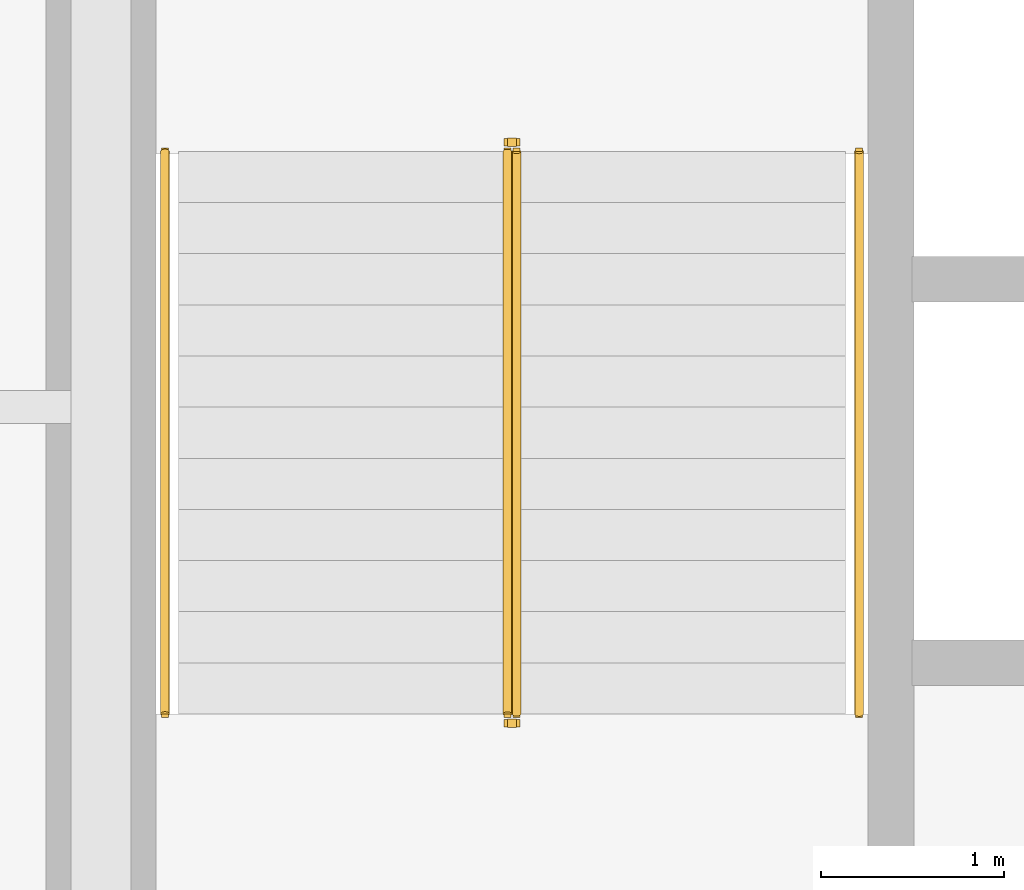
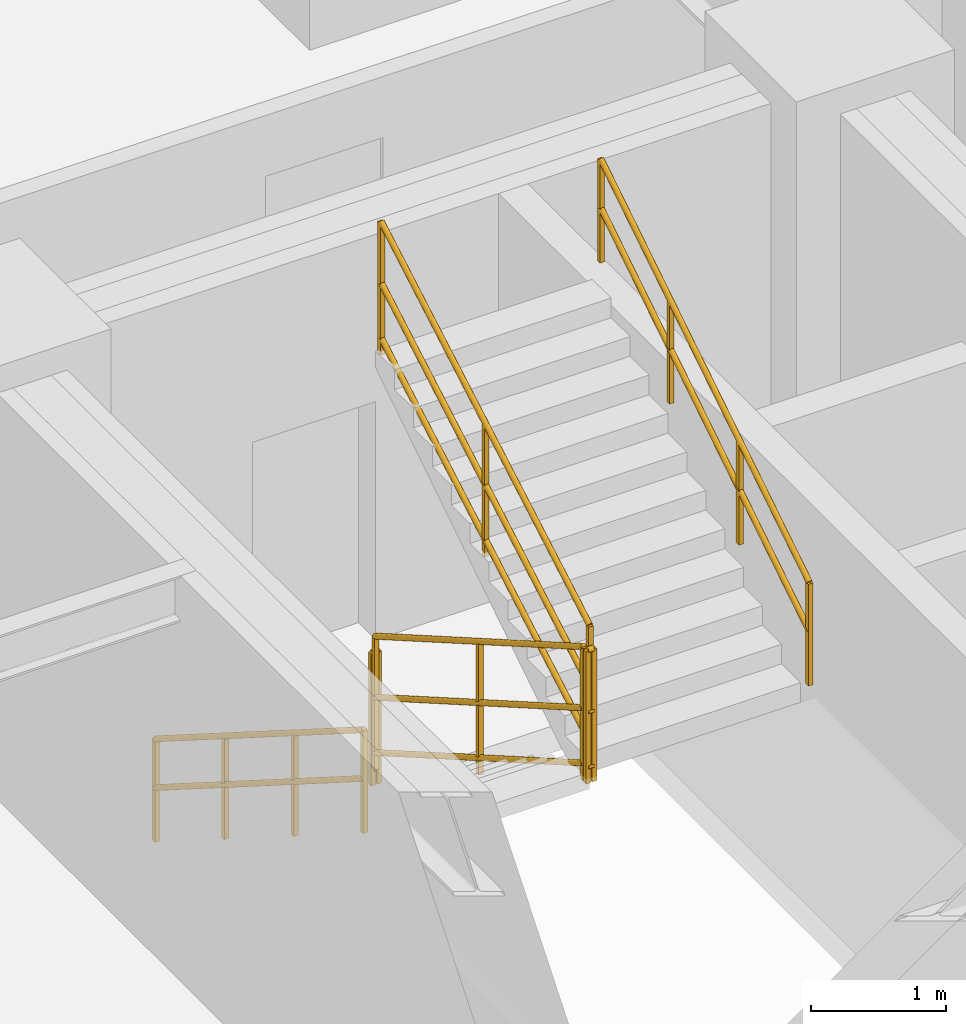
# One storey, part 9 of 9: 6 railings.
"""IFC4 building model written with IfcOpenShell, lengths in metres."""

import ifcopenshell
import ifcopenshell.guid

model = None  # the IFC model being written
_history = None  # IfcOwnerHistory: only IFC2X3 demands one
_inside = {}  # id of a spatial element -> (the spatial element, [elements in it])
_under = {}  # id of a project, library or spatial element -> (it, [spatial elements below it])
_declared = {}  # id of a project -> (the project, [libraries it declares])
_typed = {}  # id of a type object -> (the type object, [elements of that type])
_made_of = {}  # id of a material, layer set ... -> (it, [elements and type objects made of it])


def new_model(schema):
    """Start an empty IFC model of exactly this schema.

    Asked for "IFC4X3", IfcOpenShell would pick the latest addendum, in which some entities
    have other attributes; the version numbers below select the first issue.
    IFC2X3 requires an IfcOwnerHistory on every rooted entity: one is made here for all.
    """
    global model, _history
    if schema == "IFC4X3":
        model = ifcopenshell.file(schema_version=(4, 3, 0, 0))
    else:
        model = ifcopenshell.file(schema=schema)
    _inside.clear()
    _under.clear()
    _declared.clear()
    _typed.clear()
    _made_of.clear()
    _history = None
    if model.schema == "IFC2X3":
        org = make("IfcOrganization", Name="unknown")
        user = make(
            "IfcPersonAndOrganization",
            ThePerson=make("IfcPerson", FamilyName="unknown"),
            TheOrganization=org,
        )
        app = make(
            "IfcApplication",
            ApplicationDeveloper=org,
            Version="unknown",
            ApplicationFullName="unknown",
            ApplicationIdentifier="unknown",
        )
        _history = make(
            "IfcOwnerHistory",
            OwningUser=user,
            OwningApplication=app,
            ChangeAction="ADDED",
            CreationDate=0,
        )
    return model


def make(cls, **values):
    """One entity of the class cls with the attributes given. An attribute that is None is left unset."""
    return model.create_entity(
        cls, **{name: value for name, value in values.items() if value is not None}
    )


def entity(cls, *values):
    """Any entity or typed value of the class cls, its attributes in the order of the schema. None: left unset."""
    e = model.create_entity(cls)
    for i, value in enumerate(values):
        if value is not None:
            e[i] = value
    return e


def rooted(cls, **values):
    """An entity with a GlobalId (a new one), such as an element, a storey or a relation."""
    return make(cls, GlobalId=ifcopenshell.guid.new(), OwnerHistory=_history, **values)


def si_unit(unit_type, name, prefix=None):
    """IfcSIUnit, for example si_unit("LENGTHUNIT", "METRE", prefix="MILLI")."""
    return make("IfcSIUnit", UnitType=unit_type, Prefix=prefix, Name=name)


def converted_unit(unit_type, name, factor, base, dimensions=None, offset=None):
    """IfcConversionBasedUnit, such as the inch: factor (a typed value) times the base unit."""
    return make(
        "IfcConversionBasedUnit"
        if offset is None
        else "IfcConversionBasedUnitWithOffset",
        ConversionOffset=offset,
        Dimensions=None
        if dimensions is None
        else entity("IfcDimensionalExponents", *dimensions),
        UnitType=unit_type,
        Name=name,
        ConversionFactor=make(
            "IfcMeasureWithUnit", ValueComponent=factor, UnitComponent=base
        ),
    )


def assignment(units):
    """IfcUnitAssignment: the units of a project."""
    return None if units is None else make("IfcUnitAssignment", Units=units)


def point(xyz):
    """IfcCartesianPoint."""
    return None if xyz is None else make("IfcCartesianPoint", Coordinates=xyz)


def direction(xyz):
    """IfcDirection."""
    return None if xyz is None else make("IfcDirection", DirectionRatios=xyz)


def frame(location, z_axis=None, x_axis=None):
    """IfcAxis2Placement3D, a coordinate frame: its origin and axes. An axis left out is left unset."""
    return make(
        "IfcAxis2Placement3D",
        Location=point(location),
        Axis=direction(z_axis),
        RefDirection=direction(x_axis),
    )


def frame_2d(location, x_axis=None):
    """IfcAxis2Placement2D, a coordinate frame in the plane: its origin and x axis."""
    return make(
        "IfcAxis2Placement2D", Location=point(location), RefDirection=direction(x_axis)
    )


def origin_with_axes():
    """The frame at (0, 0, 0) with the z axis (0, 0, 1) and the x axis (1, 0, 0) written out."""
    return frame((0.0, 0.0, 0.0), z_axis=(0.0, 0.0, 1.0), x_axis=(1.0, 0.0, 0.0))


def origin_2d_with_axis():
    """The frame at (0, 0) in the plane with the x axis (1, 0) written out."""
    return frame_2d((0.0, 0.0), x_axis=(1.0, 0.0))


def place(relative_to, where):
    """IfcLocalPlacement: puts the frame where relative to a parent placement (None: the world)."""
    return make(
        "IfcLocalPlacement", PlacementRelTo=relative_to, RelativePlacement=where
    )


def context(
    kind, dimensions, precision=None, world=None, true_north=None, identifier=None
):
    """IfcGeometricRepresentationContext, for example the 3D "Model" context."""
    return make(
        "IfcGeometricRepresentationContext",
        ContextIdentifier=identifier,
        ContextType=kind,
        CoordinateSpaceDimension=dimensions,
        Precision=precision,
        WorldCoordinateSystem=world,
        TrueNorth=true_north,
    )


def subcontext(parent, identifier, kind, view, scale=None):
    """IfcGeometricRepresentationSubContext, for example "Body" below "Model"."""
    return make(
        "IfcGeometricRepresentationSubContext",
        ContextIdentifier=identifier,
        ContextType=kind,
        ParentContext=parent,
        TargetScale=scale,
        TargetView=view,
    )


def project(units=None, contexts=None):
    """IfcProject with its units and contexts."""
    return rooted(
        "IfcProject",
        Name="project",
        RepresentationContexts=contexts,
        UnitsInContext=assignment(units),
    )


def spatial(cls, under=None, at=None, **own):
    """A site, building, storey or space (cls), placed at a placement, below another one or the project."""
    s = rooted(cls, ObjectPlacement=at, **own)
    if under is not None:
        _under.setdefault(under.id(), (under, []))[1].append(s)
    return s


def profile(cls, at=None, kind="AREA", **sizes):
    """A parametric profile (cls). Its sizes go by their IFC names, for example OverallWidth=200.0."""
    return make(cls, ProfileType=kind, Position=at, **sizes)


def rectangle(**sizes):
    """IfcRectangleProfileDef."""
    return profile("IfcRectangleProfileDef", **sizes)


def circle(**sizes):
    """IfcCircleProfileDef."""
    return profile("IfcCircleProfileDef", **sizes)


def extrude(swept, where, along, depth):
    """IfcExtrudedAreaSolid: the profile swept, set in the frame where, extruded along a direction by depth."""
    return make(
        "IfcExtrudedAreaSolid",
        SweptArea=swept,
        Position=where,
        ExtrudedDirection=direction(along),
        Depth=depth,
    )


def shape(context_of_items, identifier, shape_type, items):
    """IfcShapeRepresentation: the items that make up one representation, for example the "Body"."""
    return make(
        "IfcShapeRepresentation",
        ContextOfItems=context_of_items,
        RepresentationIdentifier=identifier,
        RepresentationType=shape_type,
        Items=items,
    )


def material(Name=None, Category=None):
    """IfcMaterial."""
    return make("IfcMaterial", Name=Name, Category=Category)


def made_of(thing, what):
    """Note that an element or type object is made of a material, layer set ...; save() writes the relation."""
    if what is not None:
        _made_of.setdefault(what.id(), (what, []))[1].append(thing)
    return thing


def type_object(cls, material=None, **own):
    """A type object (cls), such as IfcWallType, which elements share."""
    return made_of(rooted(cls, **own), material)


def element(
    cls,
    number,
    at=None,
    inside=None,
    cuts=None,
    type_object=None,
    material=None,
    context=None,
    identifier="Body",
    shape_type=None,
    held_by="IfcProductDefinitionShape",
    body=None,
    shapes=None,
    **own,
):
    """One element of the class cls, such as IfcWall. Its Tag is "e" and its number.

    at: its placement. inside: the storey or other place that contains it. cuts: it is an
    opening in that element (IfcRelVoidsElement). A single representation is given by context,
    identifier, shape_type and body (its items); several are given by shapes. held_by: the class
    of the entity that holds the representations. save() writes the other relations.
    """
    e = rooted(cls, Tag="e%d" % number, ObjectPlacement=at, **own)
    if body is not None:
        shapes = [shape(context, identifier, shape_type, body)]
    if shapes is not None:
        e.Representation = make(held_by, Representations=shapes)
    if inside is not None:
        _inside.setdefault(inside.id(), (inside, []))[1].append(e)
    if cuts is not None:
        rooted(
            "IfcRelVoidsElement", RelatingBuildingElement=cuts, RelatedOpeningElement=e
        )
    if type_object is not None:
        _typed.setdefault(type_object.id(), (type_object, []))[1].append(e)
    return made_of(e, material)


def aggregate(whole, parts):
    """IfcRelAggregates: a whole, such as a stair, and the parts it consists of."""
    return rooted("IfcRelAggregates", RelatingObject=whole, RelatedObjects=parts)


def save(model, path):
    """Write the relations noted so far, then the file.

    IfcRelAggregates (storeys below a building ...), IfcRelContainedInSpatialStructure (elements
    in a storey), IfcRelDefinesByType, IfcRelAssociatesMaterial and IfcRelDeclares: one each for
    every whole, place, type object, material and project.
    """
    for whole, parts in _under.values():
        aggregate(whole, parts)
    for where, things in _inside.values():
        rooted(
            "IfcRelContainedInSpatialStructure",
            RelatedElements=things,
            RelatingStructure=where,
        )
    for kind, things in _typed.values():
        rooted("IfcRelDefinesByType", RelatedObjects=things, RelatingType=kind)
    for what, things in _made_of.values():
        rooted("IfcRelAssociatesMaterial", RelatedObjects=things, RelatingMaterial=what)
    for by, libraries in _declared.values():
        rooted("IfcRelDeclares", RelatingContext=by, RelatedDefinitions=libraries)
    model.write(path)


model = new_model("IFC4")

# Units and contexts
model_context = context("Model", 3, precision=1e-05, world=origin_with_axes(), true_north=direction((0.0, 1.0)))
body_context = subcontext(model_context, "Body", "Model", "MODEL_VIEW")
ifc_project = project(units=[si_unit("LENGTHUNIT", "METRE"), si_unit("AREAUNIT", "SQUARE_METRE"), si_unit("VOLUMEUNIT", "CUBIC_METRE"), converted_unit("PLANEANGLEUNIT", "DEGREE", entity("IfcPlaneAngleMeasure", 0.017453292519943295), si_unit("PLANEANGLEUNIT", "RADIAN"), dimensions=[0, 0, 0, 0, 0, 0, 0]), si_unit("MASSUNIT", "GRAM", prefix="KILO"), si_unit("THERMODYNAMICTEMPERATUREUNIT", "KELVIN")], contexts=[model_context])

# Site, building, storey
site_placement = place(None, origin_with_axes())
site = spatial("IfcSite", under=ifc_project, at=site_placement, CompositionType="ELEMENT")
building_placement = place(site_placement, origin_with_axes())
building = spatial("IfcBuilding", under=site, at=building_placement, Name="Varnlund Millrace Tower", CompositionType="ELEMENT")
storey_placement = place(building_placement, frame((0.0, 0.0, 52.2), z_axis=(0.0, 0.0, 1.0), x_axis=(1.0, 0.0, 0.0)))
storey = spatial("IfcBuildingStorey", under=building, at=storey_placement, Name="L12", CompositionType="ELEMENT", Elevation=52.2)

# Railings
ifc_material_1 = material(Name="Painted steel stair well balustrade guard", Category="steel")
railing_type_1 = type_object("IfcRailingType", Name="Type-StairGuard-1150", PredefinedType="GUARDRAIL", material=ifc_material_1)
railing_1_placement = place(storey_placement, frame((0.0, 0.0, -52.2), z_axis=(0.0, 0.0, 1.0), x_axis=(1.0, 0.0, 0.0)))
element("IfcRailing", 1, at=railing_1_placement, inside=storey, type_object=railing_type_1, Name="Type-StairGuard-1150", PredefinedType="GUARDRAIL", context=body_context, shape_type="SweptSolid", body=[
    extrude(circle(Radius=0.024, at=origin_2d_with_axis()), frame((13.625, 35.9, 53.527273), z_axis=(0.0, -0.866696, 0.498836), x_axis=(1.0, 0.0, 0.0)), (0.0, 0.0, 1.0), 3.553725),
    extrude(circle(Radius=0.024, at=origin_2d_with_axis()), frame((13.625, 35.9, 52.477273), z_axis=(0.0, -0.866696, 0.498836), x_axis=(1.0, 0.0, 0.0)), (0.0, 0.0, 1.0), 3.553725),
    extrude(circle(Radius=0.024, at=origin_2d_with_axis()), frame((13.625, 35.9, 52.975273), z_axis=(0.0, -0.866696, 0.498836), x_axis=(1.0, 0.0, 0.0)), (0.0, 0.0, 1.0), 3.553725),
    extrude(rectangle(XDim=0.04, YDim=0.04, at=origin_2d_with_axis()), frame((13.625, 35.9, 52.337273), z_axis=(0.0, 0.0, 1.0), x_axis=(1.0, 0.0, 0.0)), (0.0, 0.0, 1.0), 1.19),
    extrude(rectangle(XDim=0.04, YDim=0.04, at=origin_2d_with_axis()), frame((13.625, 34.36, 53.223637), z_axis=(0.0, 0.0, 1.0), x_axis=(1.0, 0.0, 0.0)), (0.0, 0.0, 1.0), 1.19),
    extrude(rectangle(XDim=0.04, YDim=0.04, at=origin_2d_with_axis()), frame((13.625, 32.82, 54.11), z_axis=(0.0, 0.0, 1.0), x_axis=(1.0, 0.0, 0.0)), (0.0, 0.0, 1.0), 1.19),
])
railing_2_placement = place(storey_placement, frame((0.0, 0.0, -52.2), z_axis=(0.0, 0.0, 1.0), x_axis=(1.0, 0.0, 0.0)))
element("IfcRailing", 2, at=railing_2_placement, inside=storey, type_object=railing_type_1, Name="Type-StairGuard-1150", PredefinedType="GUARDRAIL", context=body_context, shape_type="SweptSolid", body=[
    extrude(circle(Radius=0.024, at=origin_2d_with_axis()), frame((13.675, 32.77, 55.3), z_axis=(-1.0, 0.0, 0.0), x_axis=(0.0, -1.0, 0.0)), (0.0, 0.0, 1.0), 0.05),
    extrude(circle(Radius=0.024, at=origin_2d_with_axis()), frame((13.675, 32.77, 54.25), z_axis=(-1.0, 0.0, 0.0), x_axis=(0.0, -1.0, 0.0)), (0.0, 0.0, 1.0), 0.05),
    extrude(circle(Radius=0.024, at=origin_2d_with_axis()), frame((13.675, 32.77, 54.748), z_axis=(-1.0, 0.0, 0.0), x_axis=(0.0, -1.0, 0.0)), (0.0, 0.0, 1.0), 0.05),
    extrude(rectangle(XDim=0.04, YDim=0.04, at=origin_2d_with_axis()), frame((13.675, 32.77, 54.11), z_axis=(0.0, 0.0, 1.0), x_axis=(1.0, 0.0, 0.0)), (0.0, 0.0, 1.0), 1.19),
    extrude(rectangle(XDim=0.04, YDim=0.04, at=origin_2d_with_axis()), frame((13.625, 32.77, 54.11), z_axis=(0.0, 0.0, 1.0), x_axis=(1.0, 0.0, 0.0)), (0.0, 0.0, 1.0), 1.19),
])
railing_3_placement = place(storey_placement, frame((0.0, 0.0, -52.2), z_axis=(0.0, 0.0, 1.0), x_axis=(1.0, 0.0, 0.0)))
element("IfcRailing", 3, at=railing_3_placement, inside=storey, type_object=railing_type_1, Name="Type-StairGuard-1150", PredefinedType="GUARDRAIL", context=body_context, shape_type="SweptSolid", body=[
    extrude(circle(Radius=0.024, at=origin_2d_with_axis()), frame((13.675, 32.82, 55.477273), z_axis=(0.0, 0.866696, 0.498836), x_axis=(-1.0, 0.0, 0.0)), (0.0, 0.0, 1.0), 3.553725),
    extrude(circle(Radius=0.024, at=origin_2d_with_axis()), frame((13.675, 32.82, 54.427273), z_axis=(0.0, 0.866696, 0.498836), x_axis=(-1.0, 0.0, 0.0)), (0.0, 0.0, 1.0), 3.553725),
    extrude(circle(Radius=0.024, at=origin_2d_with_axis()), frame((13.675, 32.82, 54.925273), z_axis=(0.0, 0.866696, 0.498836), x_axis=(-1.0, 0.0, 0.0)), (0.0, 0.0, 1.0), 3.553725),
    extrude(rectangle(XDim=0.04, YDim=0.04, at=origin_2d_with_axis()), frame((13.675, 32.82, 54.287273), z_axis=(0.0, 0.0, 1.0), x_axis=(1.0, 0.0, 0.0)), (0.0, 0.0, 1.0), 1.19),
    extrude(rectangle(XDim=0.04, YDim=0.04, at=origin_2d_with_axis()), frame((13.675, 34.36, 55.173636), z_axis=(0.0, 0.0, 1.0), x_axis=(1.0, 0.0, 0.0)), (0.0, 0.0, 1.0), 1.19),
    extrude(rectangle(XDim=0.04, YDim=0.04, at=origin_2d_with_axis()), frame((13.675, 35.9, 56.06), z_axis=(0.0, 0.0, 1.0), x_axis=(1.0, 0.0, 0.0)), (0.0, 0.0, 1.0), 1.19),
])
railing_4_placement = place(storey_placement, frame((0.0, 0.0, -52.2), z_axis=(0.0, 0.0, 1.0), x_axis=(1.0, 0.0, 0.0)))
element("IfcRailing", 4, at=railing_4_placement, inside=storey, type_object=railing_type_1, Name="Type-StairGuard-1150", PredefinedType="GUARDRAIL", context=body_context, shape_type="SweptSolid", body=[
    extrude(circle(Radius=0.024, at=origin_2d_with_axis()), frame((13.675, 35.95, 53.35), z_axis=(-1.0, 0.0, 0.0), x_axis=(0.0, -1.0, 0.0)), (0.0, 0.0, 1.0), 0.05),
    extrude(circle(Radius=0.024, at=origin_2d_with_axis()), frame((13.675, 35.95, 52.3), z_axis=(-1.0, 0.0, 0.0), x_axis=(0.0, -1.0, 0.0)), (0.0, 0.0, 1.0), 0.05),
    extrude(circle(Radius=0.024, at=origin_2d_with_axis()), frame((13.675, 35.95, 52.798), z_axis=(-1.0, 0.0, 0.0), x_axis=(0.0, -1.0, 0.0)), (0.0, 0.0, 1.0), 0.05),
    extrude(rectangle(XDim=0.04, YDim=0.04, at=origin_2d_with_axis()), frame((13.675, 35.95, 52.16), z_axis=(0.0, 0.0, 1.0), x_axis=(1.0, 0.0, 0.0)), (0.0, 0.0, 1.0), 1.19),
    extrude(rectangle(XDim=0.04, YDim=0.04, at=origin_2d_with_axis()), frame((13.625, 35.95, 52.16), z_axis=(0.0, 0.0, 1.0), x_axis=(1.0, 0.0, 0.0)), (0.0, 0.0, 1.0), 1.19),
])
ifc_material_2 = material(Name="Brushed architectural bronze stair handrail", Category="aluminium")
railing_type_2 = type_object("IfcRailingType", Name="Type-StairHandrail-900", PredefinedType="HANDRAIL", material=ifc_material_2)
railing_5_placement = place(storey_placement, frame((0.0, 0.0, -52.2), z_axis=(0.0, 0.0, 1.0), x_axis=(1.0, 0.0, 0.0)))
element("IfcRailing", 5, at=railing_5_placement, inside=storey, type_object=railing_type_2, Name="Type-StairHandrail-900", PredefinedType="HANDRAIL", context=body_context, shape_type="SweptSolid", body=[
    extrude(circle(Radius=0.024, at=origin_2d_with_axis()), frame((11.75, 35.9, 53.256995), z_axis=(0.0, -0.844902, 0.534922), x_axis=(1.0, 0.0, 0.0)), (0.0, 0.0, 1.0), 3.645394),
    extrude(circle(Radius=0.024, at=origin_2d_with_axis()), frame((11.75, 35.9, 52.817134), z_axis=(0.0, -0.844902, 0.534922), x_axis=(1.0, 0.0, 0.0)), (0.0, 0.0, 1.0), 3.645394),
    extrude(rectangle(XDim=0.04, YDim=0.04, at=origin_2d_with_axis()), frame((11.75, 35.9, 52.337273), z_axis=(0.0, 0.0, 1.0), x_axis=(1.0, 0.0, 0.0)), (0.0, 0.0, 1.0), 0.919722),
    extrude(rectangle(XDim=0.04, YDim=0.04, at=origin_2d_with_axis()), frame((11.75, 34.873333, 52.987273), z_axis=(0.0, 0.0, 1.0), x_axis=(1.0, 0.0, 0.0)), (0.0, 0.0, 1.0), 0.919722),
    extrude(rectangle(XDim=0.04, YDim=0.04, at=origin_2d_with_axis()), frame((11.75, 33.846667, 53.637273), z_axis=(0.0, 0.0, 1.0), x_axis=(1.0, 0.0, 0.0)), (0.0, 0.0, 1.0), 0.919722),
    extrude(rectangle(XDim=0.04, YDim=0.04, at=origin_2d_with_axis()), frame((11.75, 32.82, 54.287273), z_axis=(0.0, 0.0, 1.0), x_axis=(1.0, 0.0, 0.0)), (0.0, 0.0, 1.0), 0.919722),
])
railing_6_placement = place(storey_placement, frame((0.0, 0.0, -52.2), z_axis=(0.0, 0.0, 1.0), x_axis=(1.0, 0.0, 0.0)))
element("IfcRailing", 6, at=railing_6_placement, inside=storey, type_object=railing_type_2, Name="Type-StairHandrail-900", PredefinedType="HANDRAIL", context=body_context, shape_type="SweptSolid", body=[
    extrude(circle(Radius=0.024, at=origin_2d_with_axis()), frame((15.55, 32.82, 55.206995), z_axis=(0.0, 0.844902, 0.534922), x_axis=(-1.0, 0.0, 0.0)), (0.0, 0.0, 1.0), 3.645394),
    extrude(circle(Radius=0.024, at=origin_2d_with_axis()), frame((15.55, 32.82, 54.767134), z_axis=(0.0, 0.844902, 0.534922), x_axis=(-1.0, 0.0, 0.0)), (0.0, 0.0, 1.0), 3.645394),
    extrude(rectangle(XDim=0.04, YDim=0.04, at=origin_2d_with_axis()), frame((15.55, 32.82, 54.287273), z_axis=(0.0, 0.0, 1.0), x_axis=(1.0, 0.0, 0.0)), (0.0, 0.0, 1.0), 0.919722),
    extrude(rectangle(XDim=0.04, YDim=0.04, at=origin_2d_with_axis()), frame((15.55, 33.846667, 54.937273), z_axis=(0.0, 0.0, 1.0), x_axis=(1.0, 0.0, 0.0)), (0.0, 0.0, 1.0), 0.919722),
    extrude(rectangle(XDim=0.04, YDim=0.04, at=origin_2d_with_axis()), frame((15.55, 34.873333, 55.587273), z_axis=(0.0, 0.0, 1.0), x_axis=(1.0, 0.0, 0.0)), (0.0, 0.0, 1.0), 0.919722),
    extrude(rectangle(XDim=0.04, YDim=0.04, at=origin_2d_with_axis()), frame((15.55, 35.9, 56.237273), z_axis=(0.0, 0.0, 1.0), x_axis=(1.0, 0.0, 0.0)), (0.0, 0.0, 1.0), 0.919722),
])

save(model, "model.ifc")
